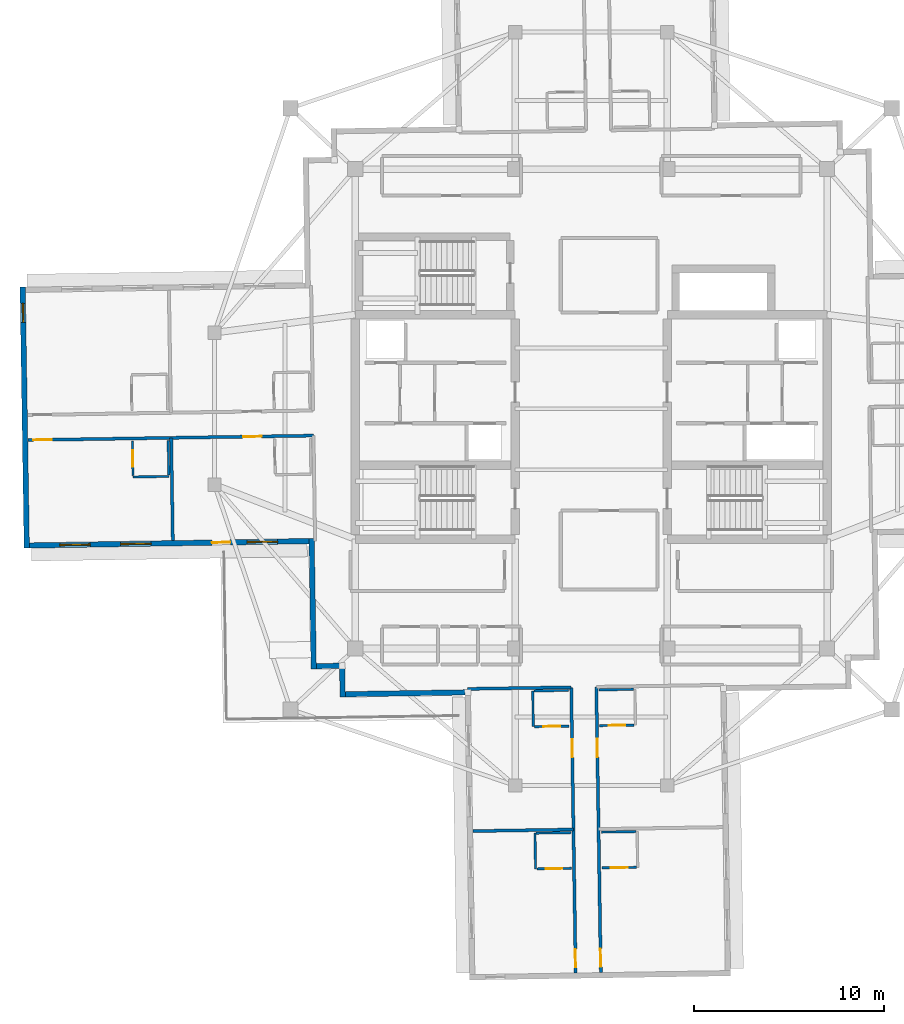
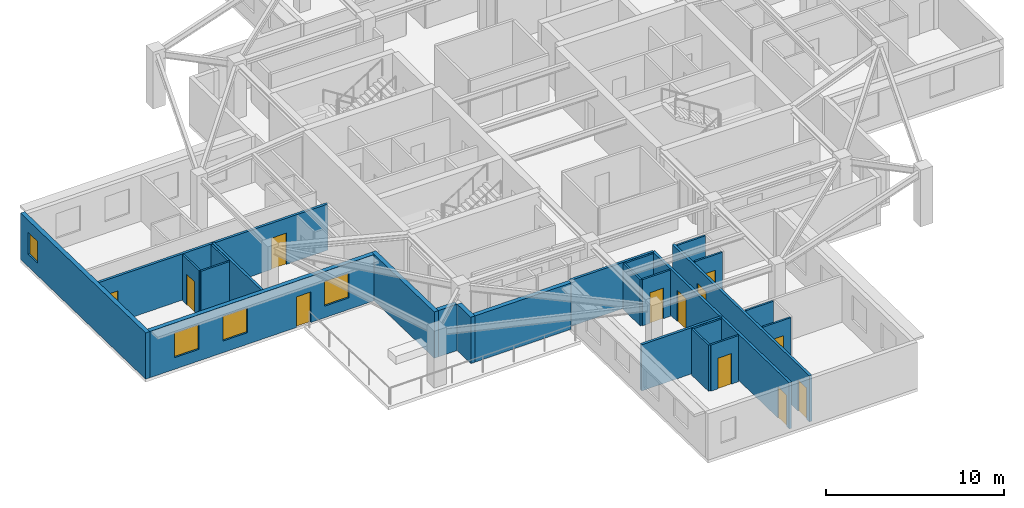
# One storey, part 3 of 12: 25 walls, 12 doors, 4 windows, 16 openings.
"""IFC4 building model written with IfcOpenShell, lengths in metres."""

from ifc_helpers import new_model, si_unit, direction, frame, frame_2d, origin, place, context, subcontext, project, spatial, rectangle, extrude, material, layer, layer_set, type_object, element, fill, save


model = new_model("IFC4")

# Units and contexts
model_context = context("Model", 3, precision=1e-05, world=origin(), true_north=direction((0.0, 1.0)))
body_context = subcontext(model_context, "Body", "Model", "MODEL_VIEW")
ifc_project = project(units=[si_unit("LENGTHUNIT", "METRE"), si_unit("AREAUNIT", "SQUARE_METRE"), si_unit("VOLUMEUNIT", "CUBIC_METRE"), si_unit("PLANEANGLEUNIT", "RADIAN"), si_unit("MASSUNIT", "GRAM", prefix="KILO")], contexts=[model_context])

# Site, building, storey
site_placement = place(None, origin())
site = spatial("IfcSite", under=ifc_project, at=site_placement, CompositionType="ELEMENT")
building_placement = place(site_placement, origin())
building = spatial("IfcBuilding", under=site, at=building_placement, Name="Qingluan Cross Belvedere", CompositionType="ELEMENT")
storey_placement = place(building_placement, frame((0.0, 0.0, 269.39990234375)))
storey = spatial("IfcBuildingStorey", under=building, at=storey_placement, Name="L67", CompositionType="ELEMENT", Elevation=269.39990234375)

# Wall, openings, doors
ifc_material_1 = material(Name="Gypsum plasterboard on steel stud acoustic partition", Category="steel")
ifc_layer_1 = layer(ifc_material_1, 0.159912109375, Name="CorridorPartition_160")
ifc_layer_set_1 = layer_set([ifc_layer_1], Name="Gypsum plasterboard on steel stud acoustic partition")
wall_type_1 = type_object("IfcWallType", Name="CorridorPartition_160", PredefinedType="PARTITIONING", material=ifc_layer_set_1)
wall_1_placement = place(storey_placement, frame((-14.599609375, -1.409423828125, 0.0), z_axis=(0.0, 0.0, 1.0), x_axis=(-0.999876590701, -0.015709976686, 0.0)))
wall_1 = element("IfcWall", 1, at=wall_1_placement, inside=storey, type_object=wall_type_1, Name="Partition L67:W:c1", PredefinedType="PARTITIONING", context=body_context, shape_type="SweptSolid", body=[
    extrude(rectangle(XDim=15.01220703125, YDim=0.159912109375, at=frame_2d((7.506103515625, 0.0))), origin(), (0.0, 0.0, 1.0), 3.170166015625),
])
opening_1_placement = place(wall_1_placement, frame((2.72802734375, 0.0, 0.0)))
opening_1 = element("IfcOpeningElement", 2, at=opening_1_placement, cuts=wall_1, Name="Opening GD-10", PredefinedType="OPENING", context=body_context, shape_type="SweptSolid", body=[
    extrude(rectangle(XDim=0.9599609375, YDim=2.14990234375, at=frame_2d((0.47998046875, 1.074951171875))), frame((0.0, 0.08984375, 0.0), z_axis=(0.0, -1.0, 0.0), x_axis=(1.0, 0.0, 0.0)), (0.0, 0.0, 1.0), 0.179931640625),
])
opening_2_placement = place(wall_1_placement, frame((13.760009765625, 0.0, 0.0)))
opening_2 = element("IfcOpeningElement", 3, at=opening_2_placement, cuts=wall_1, Name="Opening GD-10", PredefinedType="OPENING", context=body_context, shape_type="SweptSolid", body=[
    extrude(rectangle(XDim=0.9599609375, YDim=2.14990234375, at=frame_2d((0.47998046875, 1.074951171875))), frame((0.0, 0.08984375, 0.0), z_axis=(0.0, -1.0, 0.0), x_axis=(1.0, 0.0, 0.0)), (0.0, 0.0, 1.0), 0.179931640625),
])
ifc_material_2 = material(Name="Timber oak fire-rated acoustic guestroom door", Category="wood")
door_type_1 = type_object("IfcDoorType", Name="GuestEntryDoor_FD60", OperationType="NOTDEFINED", PredefinedType="DOOR", material=ifc_material_2)
door_1_placement = place(opening_1_placement, origin())
door_1 = element("IfcDoor", 4, at=door_1_placement, inside=storey, type_object=door_type_1, Name="Guest entry fire door 6707", OperationType="SINGLE_SWING_RIGHT", OverallHeight=2.14990234375, OverallWidth=0.9599609375, PredefinedType="DOOR", context=body_context, shape_type="SweptSolid", body=[
    extrude(rectangle(XDim=0.9599609375, YDim=2.14990234375, at=frame_2d((0.47998046875, 1.074951171875))), frame((0.0, 0.02490234375, 0.0), z_axis=(0.0, -1.0, 0.0), x_axis=(1.0, 0.0, 0.0)), (0.0, 0.0, 1.0), 0.050048828125),
])
fill(opening_1, door_1)
door_2_placement = place(opening_2_placement, origin())
door_2 = element("IfcDoor", 5, at=door_2_placement, inside=storey, type_object=door_type_1, Name="Guest entry fire door 6708", OperationType="SINGLE_SWING_RIGHT", OverallHeight=2.14990234375, OverallWidth=0.9599609375, PredefinedType="DOOR", context=body_context, shape_type="SweptSolid", body=[
    extrude(rectangle(XDim=0.9599609375, YDim=2.14990234375, at=frame_2d((0.47998046875, 1.074951171875))), frame((0.0, 0.02490234375, 0.0), z_axis=(0.0, -1.0, 0.0), x_axis=(1.0, 0.0, 0.0)), (0.0, 0.0, 1.0), 0.050048828125),
])
fill(opening_2, door_2)

# Wall
wall_2_placement = place(storey_placement, frame((-22.07568359375, -1.52685546875, 0.0), z_axis=(0.0, 0.0, 1.0), x_axis=(0.015711505169, -0.999876566685, 0.0)))
element("IfcWall", 6, at=wall_2_placement, inside=storey, type_object=wall_type_1, Name="Partition L67:W:d1_0", PredefinedType="PARTITIONING", context=body_context, shape_type="SweptSolid", body=[
    extrude(rectangle(XDim=5.39208984375, YDim=0.159912109375, at=frame_2d((2.696044921875, 0.0))), origin(), (0.0, 0.0, 1.0), 3.170166015625),
])

# Wall, openings, doors
wall_3_placement = place(storey_placement, frame((0.26953125, -14.61767578125, 0.0), z_axis=(0.0, 0.0, 1.0), x_axis=(0.015726491309, -0.999876331089, 0.0)))
wall_3 = element("IfcWall", 7, at=wall_3_placement, inside=storey, type_object=wall_type_1, Name="Partition L67:S:c0", PredefinedType="PARTITIONING", context=body_context, shape_type="SweptSolid", body=[
    extrude(rectangle(XDim=15.011962890625, YDim=0.159912109375, at=frame_2d((7.505859375, 0.0))), origin(), (0.0, 0.0, 1.0), 3.170166015625),
])
opening_3_placement = place(wall_3_placement, frame((2.72802734375, 0.0, 0.0)))
opening_3 = element("IfcOpeningElement", 8, at=opening_3_placement, cuts=wall_3, Name="Opening GD-10", PredefinedType="OPENING", context=body_context, shape_type="SweptSolid", body=[
    extrude(rectangle(XDim=0.9599609375, YDim=2.14990234375, at=frame_2d((0.47998046875, 1.074951171875))), frame((0.0, 0.08984375, 0.0), z_axis=(0.0, -1.0, 0.0), x_axis=(1.0, 0.0, 0.0)), (0.0, 0.0, 1.0), 0.179931640625),
])
opening_4_placement = place(wall_3_placement, frame((13.760009765625, 0.0, 0.0)))
opening_4 = element("IfcOpeningElement", 9, at=opening_4_placement, cuts=wall_3, Name="Opening GD-10", PredefinedType="OPENING", context=body_context, shape_type="SweptSolid", body=[
    extrude(rectangle(XDim=0.9599609375, YDim=2.14990234375, at=frame_2d((0.47998046875, 1.074951171875))), frame((0.0, 0.08984375, 0.0), z_axis=(0.0, -1.0, 0.0), x_axis=(1.0, 0.0, 0.0)), (0.0, 0.0, 1.0), 0.179931640625),
])
door_3_placement = place(opening_3_placement, origin())
door_3 = element("IfcDoor", 10, at=door_3_placement, inside=storey, type_object=door_type_1, Name="Guest entry fire door 6713", OperationType="SINGLE_SWING_RIGHT", OverallHeight=2.14990234375, OverallWidth=0.9599609375, PredefinedType="DOOR", context=body_context, shape_type="SweptSolid", body=[
    extrude(rectangle(XDim=0.9599609375, YDim=2.14990234375, at=frame_2d((0.47998046875, 1.074951171875))), frame((0.0, 0.02490234375, 0.0), z_axis=(0.0, -1.0, 0.0), x_axis=(1.0, 0.0, 0.0)), (0.0, 0.0, 1.0), 0.050048828125),
])
fill(opening_3, door_3)
door_4_placement = place(opening_4_placement, origin())
door_4 = element("IfcDoor", 11, at=door_4_placement, inside=storey, type_object=door_type_1, Name="Guest entry fire door 6714", OperationType="SINGLE_SWING_RIGHT", OverallHeight=2.14990234375, OverallWidth=0.9599609375, PredefinedType="DOOR", context=body_context, shape_type="SweptSolid", body=[
    extrude(rectangle(XDim=0.9599609375, YDim=2.14990234375, at=frame_2d((0.47998046875, 1.074951171875))), frame((0.0, 0.02490234375, 0.0), z_axis=(0.0, -1.0, 0.0), x_axis=(1.0, 0.0, 0.0)), (0.0, 0.0, 1.0), 0.050048828125),
])
fill(opening_4, door_4)

wall_4_placement = place(storey_placement, frame((-1.05029296875, -14.63818359375, 0.0), z_axis=(0.0, 0.0, 1.0), x_axis=(0.015709976686, -0.999876590701, 0.0)))
wall_4 = element("IfcWall", 12, at=wall_4_placement, inside=storey, type_object=wall_type_1, Name="Partition L67:S:c1", PredefinedType="PARTITIONING", context=body_context, shape_type="SweptSolid", body=[
    extrude(rectangle(XDim=15.01220703125, YDim=0.159912109375, at=frame_2d((7.506103515625, 0.0))), origin(), (0.0, 0.0, 1.0), 3.170166015625),
])
opening_5_placement = place(wall_4_placement, frame((2.72802734375, 0.0, 0.0)))
opening_5 = element("IfcOpeningElement", 13, at=opening_5_placement, cuts=wall_4, Name="Opening GD-10", PredefinedType="OPENING", context=body_context, shape_type="SweptSolid", body=[
    extrude(rectangle(XDim=0.9599609375, YDim=2.14990234375, at=frame_2d((0.47998046875, 1.074951171875))), frame((0.0, 0.08984375, 0.0), z_axis=(0.0, -1.0, 0.0), x_axis=(1.0, 0.0, 0.0)), (0.0, 0.0, 1.0), 0.179931640625),
])
opening_6_placement = place(wall_4_placement, frame((13.760009765625, 0.0, 0.0)))
opening_6 = element("IfcOpeningElement", 14, at=opening_6_placement, cuts=wall_4, Name="Opening GD-10", PredefinedType="OPENING", context=body_context, shape_type="SweptSolid", body=[
    extrude(rectangle(XDim=0.9599609375, YDim=2.14990234375, at=frame_2d((0.47998046875, 1.074951171875))), frame((0.0, 0.08984375, 0.0), z_axis=(0.0, -1.0, 0.0), x_axis=(1.0, 0.0, 0.0)), (0.0, 0.0, 1.0), 0.179931640625),
])
door_5_placement = place(opening_5_placement, origin())
door_5 = element("IfcDoor", 15, at=door_5_placement, inside=storey, type_object=door_type_1, Name="Guest entry fire door 6715", OperationType="SINGLE_SWING_RIGHT", OverallHeight=2.14990234375, OverallWidth=0.9599609375, PredefinedType="DOOR", context=body_context, shape_type="SweptSolid", body=[
    extrude(rectangle(XDim=0.9599609375, YDim=2.14990234375, at=frame_2d((0.47998046875, 1.074951171875))), frame((0.0, 0.02490234375, 0.0), z_axis=(0.0, -1.0, 0.0), x_axis=(1.0, 0.0, 0.0)), (0.0, 0.0, 1.0), 0.050048828125),
])
fill(opening_5, door_5)
door_6_placement = place(opening_6_placement, origin())
door_6 = element("IfcDoor", 16, at=door_6_placement, inside=storey, type_object=door_type_1, Name="Guest entry fire door 6716", OperationType="SINGLE_SWING_RIGHT", OverallHeight=2.14990234375, OverallWidth=0.9599609375, PredefinedType="DOOR", context=body_context, shape_type="SweptSolid", body=[
    extrude(rectangle(XDim=0.9599609375, YDim=2.14990234375, at=frame_2d((0.47998046875, 1.074951171875))), frame((0.0, 0.02490234375, 0.0), z_axis=(0.0, -1.0, 0.0), x_axis=(1.0, 0.0, 0.0)), (0.0, 0.0, 1.0), 0.050048828125),
])
fill(opening_6, door_6)

# Walls
wall_5_placement = place(storey_placement, frame((-1.05029296875, -14.63818359375, 0.0), z_axis=(0.0, 0.0, 1.0), x_axis=(-0.999876622965, -0.015707923068, 0.0)))
element("IfcWall", 17, at=wall_5_placement, inside=storey, type_object=wall_type_1, Name="Partition L67:S:s1", PredefinedType="PARTITIONING", context=body_context, shape_type="SweptSolid", body=[
    extrude(rectangle(XDim=5.43994140625, YDim=0.159912109375, at=frame_2d((2.719970703125, 0.0))), origin(), (0.0, 0.0, 1.0), 3.170166015625),
])
wall_6_placement = place(storey_placement, frame((-0.932861328125, -22.114501953125, 0.0), z_axis=(0.0, 0.0, 1.0), x_axis=(-0.999876970397, -0.015685791996, 0.0)))
element("IfcWall", 18, at=wall_6_placement, inside=storey, type_object=wall_type_1, Name="Partition L67:S:d1_0", PredefinedType="PARTITIONING", context=body_context, shape_type="SweptSolid", body=[
    extrude(rectangle(XDim=5.2919921875, YDim=0.159912109375, at=frame_2d((2.64599609375, 0.0))), origin(), (0.0, 0.0, 1.0), 3.170166015625),
])

# Wall, opening, door
ifc_material_3 = material(Name="Moisture-resistant gypsum board lining")
ifc_layer_2 = layer(ifc_material_3, 0.1201171875, Name="EnsuiteWetPartition_120")
ifc_layer_set_2 = layer_set([ifc_layer_2], Name="Moisture-resistant gypsum board lining")
wall_type_2 = type_object("IfcWallType", Name="EnsuiteWetPartition_120", PredefinedType="PARTITIONING", material=ifc_layer_set_2)
wall_7_placement = place(storey_placement, frame((-24.084716796875, -3.518798828125, 0.0), z_axis=(0.0, 0.0, 1.0), x_axis=(-0.015694337248, 0.999876836305, 0.0)))
wall_7 = element("IfcWall", 19, at=wall_7_placement, inside=storey, type_object=wall_type_2, Name="Partition L67:W:bs1_1", PredefinedType="PARTITIONING", context=body_context, shape_type="SweptSolid", body=[
    extrude(rectangle(XDim=1.820068359375, YDim=0.1201171875, at=frame_2d((0.91015625, 0.0))), origin(), (0.0, 0.0, 1.0), 3.170166015625),
])
opening_7_placement = place(wall_7_placement, frame((0.469970703125, 0.0, 0.0)))
opening_7 = element("IfcOpeningElement", 20, at=opening_7_placement, cuts=wall_7, Name="Opening BD-09", PredefinedType="OPENING", context=body_context, shape_type="SweptSolid", body=[
    extrude(rectangle(XDim=0.8798828125, YDim=2.10009765625, at=frame_2d((0.43994140625, 1.050048828125))), frame((0.0, 0.070068359375, 0.0), z_axis=(0.0, -1.0, 0.0), x_axis=(1.0, 0.0, 0.0)), (0.0, 0.0, 1.0), 0.14013671875),
])
ifc_material_4 = material(Name="Moisture-sealed timber en-suite door", Category="wood")
door_type_2 = type_object("IfcDoorType", Name="BathroomDoor_880", OperationType="NOTDEFINED", PredefinedType="DOOR", material=ifc_material_4)
door_7_placement = place(opening_7_placement, origin())
door_7 = element("IfcDoor", 21, at=door_7_placement, inside=storey, type_object=door_type_2, Name="Bathroom door 6708", OperationType="SINGLE_SWING_LEFT", OverallHeight=2.10009765625, OverallWidth=0.8798828125, PredefinedType="DOOR", context=body_context, shape_type="SweptSolid", body=[
    extrude(rectangle(XDim=0.8798828125, YDim=2.10009765625, at=frame_2d((0.43994140625, 1.050048828125))), frame((0.0, 0.02490234375, 0.0), z_axis=(0.0, -1.0, 0.0), x_axis=(1.0, 0.0, 0.0)), (0.0, 0.0, 1.0), 0.050048828125),
])
fill(opening_7, door_7)

# Walls
wall_8_placement = place(storey_placement, frame((-22.204833984375, -3.4892578125, 0.0), z_axis=(0.0, 0.0, 1.0), x_axis=(-0.015694337248, 0.999876836305, 0.0)))
element("IfcWall", 22, at=wall_8_placement, inside=storey, type_object=wall_type_2, Name="Partition L67:W:bw1_1", PredefinedType="PARTITIONING", context=body_context, shape_type="SweptSolid", body=[
    extrude(rectangle(XDim=1.820068359375, YDim=0.1201171875, at=frame_2d((0.91015625, 0.0))), origin(), (0.0, 0.0, 1.0), 3.170166015625),
])
wall_9_placement = place(storey_placement, frame((-22.203857421875, -3.55419921875, 0.0), z_axis=(0.0, 0.0, 1.0), x_axis=(-0.999876553475, -0.01571234584, 0.0)))
element("IfcWall", 23, at=wall_9_placement, inside=storey, type_object=wall_type_2, Name="Partition L67:W:bc1_1", PredefinedType="PARTITIONING", context=body_context, shape_type="SweptSolid", body=[
    extrude(rectangle(XDim=1.880126953125, YDim=0.1201171875, at=frame_2d((0.93994140625, 0.0))), origin(), (0.0, 0.0, 1.0), 3.170166015625),
])

# Wall, opening, door
wall_10_placement = place(storey_placement, frame((0.441650390625, -16.655029296875, 0.0), z_axis=(0.0, 0.0, 1.0), x_axis=(0.999876836305, 0.015694337248, 0.0)))
wall_10 = element("IfcWall", 24, at=wall_10_placement, inside=storey, type_object=wall_type_2, Name="Partition L67:S:bs0_0", PredefinedType="PARTITIONING", context=body_context, shape_type="SweptSolid", body=[
    extrude(rectangle(XDim=1.820068359375, YDim=0.1201171875, at=frame_2d((0.91015625, 0.0))), origin(), (0.0, 0.0, 1.0), 3.170166015625),
])
opening_8_placement = place(wall_10_placement, frame((0.469970703125, 0.0, 0.0)))
opening_8 = element("IfcOpeningElement", 25, at=opening_8_placement, cuts=wall_10, Name="Opening BD-09", PredefinedType="OPENING", context=body_context, shape_type="SweptSolid", body=[
    extrude(rectangle(XDim=0.8798828125, YDim=2.10009765625, at=frame_2d((0.43994140625, 1.050048828125))), frame((0.0, 0.070068359375, 0.0), z_axis=(0.0, -1.0, 0.0), x_axis=(1.0, 0.0, 0.0)), (0.0, 0.0, 1.0), 0.14013671875),
])
door_8_placement = place(opening_8_placement, origin())
door_8 = element("IfcDoor", 26, at=door_8_placement, inside=storey, type_object=door_type_2, Name="Bathroom door 6713", OperationType="SINGLE_SWING_LEFT", OverallHeight=2.10009765625, OverallWidth=0.8798828125, PredefinedType="DOOR", context=body_context, shape_type="SweptSolid", body=[
    extrude(rectangle(XDim=0.8798828125, YDim=2.10009765625, at=frame_2d((0.43994140625, 1.050048828125))), frame((0.0, 0.02490234375, 0.0), z_axis=(0.0, -1.0, 0.0), x_axis=(1.0, 0.0, 0.0)), (0.0, 0.0, 1.0), 0.050048828125),
])
fill(opening_8, door_8)

# Wall
wall_11_placement = place(storey_placement, frame((0.412109375, -14.775390625, 0.0), z_axis=(0.0, 0.0, 1.0), x_axis=(0.999876836305, 0.015694337248, 0.0)))
element("IfcWall", 27, at=wall_11_placement, inside=storey, type_object=wall_type_2, Name="Partition L67:S:bw0_0", PredefinedType="PARTITIONING", context=body_context, shape_type="SweptSolid", body=[
    extrude(rectangle(XDim=1.820068359375, YDim=0.1201171875, at=frame_2d((0.91015625, 0.0))), origin(), (0.0, 0.0, 1.0), 3.170166015625),
])

# Wall, opening, door
wall_12_placement = place(storey_placement, frame((0.55908203125, -24.131103515625, 0.0), z_axis=(0.0, 0.0, 1.0), x_axis=(0.999876836305, 0.015694337248, 0.0)))
wall_12 = element("IfcWall", 28, at=wall_12_placement, inside=storey, type_object=wall_type_2, Name="Partition L67:S:bs0_1", PredefinedType="PARTITIONING", context=body_context, shape_type="SweptSolid", body=[
    extrude(rectangle(XDim=1.820068359375, YDim=0.1201171875, at=frame_2d((0.91015625, 0.0))), origin(), (0.0, 0.0, 1.0), 3.170166015625),
])
opening_9_placement = place(wall_12_placement, frame((0.469970703125, 0.0, 0.0)))
opening_9 = element("IfcOpeningElement", 29, at=opening_9_placement, cuts=wall_12, Name="Opening BD-09", PredefinedType="OPENING", context=body_context, shape_type="SweptSolid", body=[
    extrude(rectangle(XDim=0.8798828125, YDim=2.10009765625, at=frame_2d((0.43994140625, 1.050048828125))), frame((0.0, 0.070068359375, 0.0), z_axis=(0.0, -1.0, 0.0), x_axis=(1.0, 0.0, 0.0)), (0.0, 0.0, 1.0), 0.14013671875),
])
door_9_placement = place(opening_9_placement, origin())
door_9 = element("IfcDoor", 30, at=door_9_placement, inside=storey, type_object=door_type_2, Name="Bathroom door 6714", OperationType="SINGLE_SWING_LEFT", OverallHeight=2.10009765625, OverallWidth=0.8798828125, PredefinedType="DOOR", context=body_context, shape_type="SweptSolid", body=[
    extrude(rectangle(XDim=0.8798828125, YDim=2.10009765625, at=frame_2d((0.43994140625, 1.050048828125))), frame((0.0, 0.02490234375, 0.0), z_axis=(0.0, -1.0, 0.0), x_axis=(1.0, 0.0, 0.0)), (0.0, 0.0, 1.0), 0.050048828125),
])
fill(opening_9, door_9)

# Wall
wall_13_placement = place(storey_placement, frame((0.529541015625, -22.25146484375, 0.0), z_axis=(0.0, 0.0, 1.0), x_axis=(0.999876836305, 0.015694337248, 0.0)))
element("IfcWall", 31, at=wall_13_placement, inside=storey, type_object=wall_type_2, Name="Partition L67:S:bw0_1", PredefinedType="PARTITIONING", context=body_context, shape_type="SweptSolid", body=[
    extrude(rectangle(XDim=1.820068359375, YDim=0.1201171875, at=frame_2d((0.91015625, 0.0))), origin(), (0.0, 0.0, 1.0), 3.170166015625),
])

# Wall, opening, door
wall_14_placement = place(storey_placement, frame((-2.977783203125, -16.708740234375, 0.0), z_axis=(0.0, 0.0, 1.0), x_axis=(0.999876803258, 0.015696442504, 0.0)))
wall_14 = element("IfcWall", 32, at=wall_14_placement, inside=storey, type_object=wall_type_2, Name="Partition L67:S:bs1_0", PredefinedType="PARTITIONING", context=body_context, shape_type="SweptSolid", body=[
    extrude(rectangle(XDim=1.81982421875, YDim=0.1201171875, at=frame_2d((0.909912109375, 0.0))), origin(), (0.0, 0.0, 1.0), 3.170166015625),
])
opening_10_placement = place(wall_14_placement, frame((0.469970703125, 0.0, 0.0)))
opening_10 = element("IfcOpeningElement", 33, at=opening_10_placement, cuts=wall_14, Name="Opening BD-09", PredefinedType="OPENING", context=body_context, shape_type="SweptSolid", body=[
    extrude(rectangle(XDim=0.8798828125, YDim=2.10009765625, at=frame_2d((0.43994140625, 1.050048828125))), frame((0.0, 0.070068359375, 0.0), z_axis=(0.0, -1.0, 0.0), x_axis=(1.0, 0.0, 0.0)), (0.0, 0.0, 1.0), 0.14013671875),
])
door_10_placement = place(opening_10_placement, origin())
door_10 = element("IfcDoor", 34, at=door_10_placement, inside=storey, type_object=door_type_2, Name="Bathroom door 6715", OperationType="SINGLE_SWING_LEFT", OverallHeight=2.10009765625, OverallWidth=0.8798828125, PredefinedType="DOOR", context=body_context, shape_type="SweptSolid", body=[
    extrude(rectangle(XDim=0.8798828125, YDim=2.10009765625, at=frame_2d((0.43994140625, 1.050048828125))), frame((0.0, 0.02490234375, 0.0), z_axis=(0.0, -1.0, 0.0), x_axis=(1.0, 0.0, 0.0)), (0.0, 0.0, 1.0), 0.050048828125),
])
fill(opening_10, door_10)

# Walls
wall_15_placement = place(storey_placement, frame((-3.00732421875, -14.8291015625, 0.0), z_axis=(0.0, 0.0, 1.0), x_axis=(0.999876803258, 0.015696442504, 0.0)))
element("IfcWall", 35, at=wall_15_placement, inside=storey, type_object=wall_type_2, Name="Partition L67:S:bw1_0", PredefinedType="PARTITIONING", context=body_context, shape_type="SweptSolid", body=[
    extrude(rectangle(XDim=1.81982421875, YDim=0.1201171875, at=frame_2d((0.909912109375, 0.0))), origin(), (0.0, 0.0, 1.0), 3.170166015625),
])
wall_16_placement = place(storey_placement, frame((-3.072509765625, -14.830078125, 0.0), z_axis=(0.0, 0.0, 1.0), x_axis=(0.01571234584, -0.999876553475, 0.0)))
element("IfcWall", 36, at=wall_16_placement, inside=storey, type_object=wall_type_2, Name="Partition L67:S:bc1_0", PredefinedType="PARTITIONING", context=body_context, shape_type="SweptSolid", body=[
    extrude(rectangle(XDim=1.880126953125, YDim=0.1201171875, at=frame_2d((0.93994140625, 0.0))), origin(), (0.0, 0.0, 1.0), 3.170166015625),
])

# Wall, opening, door
wall_17_placement = place(storey_placement, frame((-2.860595703125, -24.184814453125, 0.0), z_axis=(0.0, 0.0, 1.0), x_axis=(0.999876836305, 0.015694337248, 0.0)))
wall_17 = element("IfcWall", 37, at=wall_17_placement, inside=storey, type_object=wall_type_2, Name="Partition L67:S:bs1_1", PredefinedType="PARTITIONING", context=body_context, shape_type="SweptSolid", body=[
    extrude(rectangle(XDim=1.820068359375, YDim=0.1201171875, at=frame_2d((0.91015625, 0.0))), origin(), (0.0, 0.0, 1.0), 3.170166015625),
])
opening_11_placement = place(wall_17_placement, frame((0.469970703125, 0.0, 0.0)))
opening_11 = element("IfcOpeningElement", 38, at=opening_11_placement, cuts=wall_17, Name="Opening BD-09", PredefinedType="OPENING", context=body_context, shape_type="SweptSolid", body=[
    extrude(rectangle(XDim=0.8798828125, YDim=2.10009765625, at=frame_2d((0.43994140625, 1.050048828125))), frame((0.0, 0.070068359375, 0.0), z_axis=(0.0, -1.0, 0.0), x_axis=(1.0, 0.0, 0.0)), (0.0, 0.0, 1.0), 0.14013671875),
])
door_11_placement = place(opening_11_placement, origin())
door_11 = element("IfcDoor", 39, at=door_11_placement, inside=storey, type_object=door_type_2, Name="Bathroom door 6716", OperationType="SINGLE_SWING_LEFT", OverallHeight=2.10009765625, OverallWidth=0.8798828125, PredefinedType="DOOR", context=body_context, shape_type="SweptSolid", body=[
    extrude(rectangle(XDim=0.8798828125, YDim=2.10009765625, at=frame_2d((0.43994140625, 1.050048828125))), frame((0.0, 0.02490234375, 0.0), z_axis=(0.0, -1.0, 0.0), x_axis=(1.0, 0.0, 0.0)), (0.0, 0.0, 1.0), 0.050048828125),
])
fill(opening_11, door_11)

# Walls
wall_18_placement = place(storey_placement, frame((-2.889892578125, -22.30517578125, 0.0), z_axis=(0.0, 0.0, 1.0), x_axis=(0.999876803258, 0.015696442504, 0.0)))
element("IfcWall", 40, at=wall_18_placement, inside=storey, type_object=wall_type_2, Name="Partition L67:S:bw1_1", PredefinedType="PARTITIONING", context=body_context, shape_type="SweptSolid", body=[
    extrude(rectangle(XDim=1.81982421875, YDim=0.1201171875, at=frame_2d((0.909912109375, 0.0))), origin(), (0.0, 0.0, 1.0), 3.170166015625),
])
wall_19_placement = place(storey_placement, frame((-2.955078125, -22.30615234375, 0.0), z_axis=(0.0, 0.0, 1.0), x_axis=(0.015714386166, -0.99987652141, 0.0)))
element("IfcWall", 41, at=wall_19_placement, inside=storey, type_object=wall_type_2, Name="Partition L67:S:bc1_1", PredefinedType="PARTITIONING", context=body_context, shape_type="SweptSolid", body=[
    extrude(rectangle(XDim=1.8798828125, YDim=0.1201171875, at=frame_2d((0.93994140625, 0.0))), origin(), (0.0, 0.0, 1.0), 3.170166015625),
])

# Wall, openings, windows, door
ifc_material_5 = material(Name="Precast concrete C45", Category="concrete")
ifc_layer_3 = layer(ifc_material_5, 0.280029296875, Name="PrecastFacadeWall_280")
ifc_layer_set_3 = layer_set([ifc_layer_3], Name="Precast concrete C45")
wall_type_3 = type_object("IfcWallType", Name="PrecastFacadeWall_280", PredefinedType="STANDARD", material=ifc_layer_set_3)
wall_20_placement = place(storey_placement, frame((-29.53076171875, -7.184814453125, 0.0), z_axis=(0.0, 0.0, 1.0), x_axis=(0.999876569875, 0.015711302158, 0.0)))
wall_20 = element("IfcWall", 42, at=wall_20_placement, inside=storey, type_object=wall_type_3, Name="Facade wall L67-WB", PredefinedType="STANDARD", context=body_context, shape_type="SweptSolid", body=[
    extrude(rectangle(XDim=14.699951171875, YDim=0.280029296875, at=frame_2d((7.35009765625, 0.0))), origin(), (0.0, 0.0, 1.0), 3.18017578125),
])
opening_12_placement = place(wall_20_placement, frame((1.60009765625, 0.0, 0.800048828125)))
opening_12 = element("IfcOpeningElement", 43, at=opening_12_placement, cuts=wall_20, Name="Opening W-04", PredefinedType="OPENING", context=body_context, shape_type="SweptSolid", body=[
    extrude(rectangle(XDim=1.60009765625, YDim=1.699951171875, at=frame_2d((0.800048828125, 0.85009765625))), frame((0.0, 0.14990234375, 0.0), z_axis=(0.0, -1.0, 0.0), x_axis=(1.0, 0.0, 0.0)), (0.0, 0.0, 1.0), 0.300048828125),
])
opening_13_placement = place(wall_20_placement, frame((4.800048828125, 0.0, 0.800048828125)))
opening_13 = element("IfcOpeningElement", 44, at=opening_13_placement, cuts=wall_20, Name="Opening W-04", PredefinedType="OPENING", context=body_context, shape_type="SweptSolid", body=[
    extrude(rectangle(XDim=1.60009765625, YDim=1.699951171875, at=frame_2d((0.800048828125, 0.85009765625))), frame((0.0, 0.14990234375, 0.0), z_axis=(0.0, -1.0, 0.0), x_axis=(1.0, 0.0, 0.0)), (0.0, 0.0, 1.0), 0.300048828125),
])
opening_14_placement = place(wall_20_placement, frame((11.449951171875, 0.0, 0.800048828125)))
opening_14 = element("IfcOpeningElement", 45, at=opening_14_placement, cuts=wall_20, Name="Opening W-04", PredefinedType="OPENING", context=body_context, shape_type="SweptSolid", body=[
    extrude(rectangle(XDim=1.60009765625, YDim=1.699951171875, at=frame_2d((0.800048828125, 0.85009765625))), frame((0.0, 0.14990234375, 0.0), z_axis=(0.0, -1.0, 0.0), x_axis=(1.0, 0.0, 0.0)), (0.0, 0.0, 1.0), 0.300048828125),
])
opening_15_placement = place(wall_20_placement, frame((9.60009765625, 0.0, 0.0)))
opening_15 = element("IfcOpeningElement", 46, at=opening_15_placement, cuts=wall_20, Name="Opening WD-10", PredefinedType="OPENING", context=body_context, shape_type="SweptSolid", body=[
    extrude(rectangle(XDim=0.9599609375, YDim=2.10009765625, at=frame_2d((0.47998046875, 1.050048828125))), frame((0.0, 0.14990234375, 0.0), z_axis=(0.0, -1.0, 0.0), x_axis=(1.0, 0.0, 0.0)), (0.0, 0.0, 1.0), 0.300048828125),
])
ifc_material_6 = material(Name="Thermally broken triple Low-E glass in aluminium frame", Category="aluminium")
window_type_1 = type_object("IfcWindowType", Name="SuiteCornerWin_1600x1700", PartitioningType="SINGLE_PANEL", PredefinedType="WINDOW", material=ifc_material_6)
window_1_placement = place(opening_12_placement, origin())
window_1 = element("IfcWindow", 47, at=window_1_placement, inside=storey, type_object=window_type_1, Name="Ribbon window L67-WB-1", OverallHeight=1.699951171875, OverallWidth=1.60009765625, PartitioningType="SINGLE_PANEL", PredefinedType="WINDOW", context=body_context, shape_type="SweptSolid", body=[
    extrude(rectangle(XDim=1.60009765625, YDim=1.699951171875, at=frame_2d((0.800048828125, 0.85009765625))), frame((0.0, 0.030029296875, 0.0), z_axis=(0.0, -1.0, 0.0), x_axis=(1.0, 0.0, 0.0)), (0.0, 0.0, 1.0), 0.06005859375),
])
fill(opening_12, window_1)
window_2_placement = place(opening_13_placement, origin())
window_2 = element("IfcWindow", 48, at=window_2_placement, inside=storey, type_object=window_type_1, Name="Ribbon window L67-WB-2", OverallHeight=1.699951171875, OverallWidth=1.60009765625, PartitioningType="SINGLE_PANEL", PredefinedType="WINDOW", context=body_context, shape_type="SweptSolid", body=[
    extrude(rectangle(XDim=1.60009765625, YDim=1.699951171875, at=frame_2d((0.800048828125, 0.85009765625))), frame((0.0, 0.030029296875, 0.0), z_axis=(0.0, -1.0, 0.0), x_axis=(1.0, 0.0, 0.0)), (0.0, 0.0, 1.0), 0.06005859375),
])
fill(opening_13, window_2)
window_3_placement = place(opening_14_placement, origin())
window_3 = element("IfcWindow", 49, at=window_3_placement, inside=storey, type_object=window_type_1, Name="Ribbon window L67-WB-4", OverallHeight=1.699951171875, OverallWidth=1.60009765625, PartitioningType="SINGLE_PANEL", PredefinedType="WINDOW", context=body_context, shape_type="SweptSolid", body=[
    extrude(rectangle(XDim=1.60009765625, YDim=1.699951171875, at=frame_2d((0.800048828125, 0.85009765625))), frame((0.0, 0.030029296875, 0.0), z_axis=(0.0, -1.0, 0.0), x_axis=(1.0, 0.0, 0.0)), (0.0, 0.0, 1.0), 0.06005859375),
])
fill(opening_14, window_3)
ifc_material_7 = material(Name="Thermally broken aluminium and Low-E glass", Category="aluminium")
door_type_3 = type_object("IfcDoorType", Name="WinterGardenDoor_096", OperationType="NOTDEFINED", PredefinedType="DOOR", material=ifc_material_7)
door_12_placement = place(opening_15_placement, origin())
door_12 = element("IfcDoor", 50, at=door_12_placement, inside=storey, type_object=door_type_3, Name="Outdoor terrace access door L67-spi", OperationType="SINGLE_SWING_RIGHT", OverallHeight=2.10009765625, OverallWidth=0.9599609375, PredefinedType="DOOR", context=body_context, shape_type="SweptSolid", body=[
    extrude(rectangle(XDim=0.9599609375, YDim=2.10009765625, at=frame_2d((0.47998046875, 1.050048828125))), frame((0.0, 0.02490234375, 0.0), z_axis=(0.0, -1.0, 0.0), x_axis=(1.0, 0.0, 0.0)), (0.0, 0.0, 1.0), 0.050048828125),
])
fill(opening_15, door_12)

# Wall, opening, window
wall_21_placement = place(storey_placement, frame((-29.884033203125, 6.391357421875, 0.0), z_axis=(0.0, 0.0, 1.0), x_axis=(0.015694809807, -0.999876828887, 0.0)))
wall_21 = element("IfcWall", 51, at=wall_21_placement, inside=storey, type_object=wall_type_3, Name="Arm tip precast facade wall L67-W", PredefinedType="STANDARD", context=body_context, shape_type="SweptSolid", body=[
    extrude(rectangle(XDim=13.719970703125, YDim=0.280029296875, at=frame_2d((6.85986328125, 0.0))), origin(), (0.0, 0.0, 1.0), 3.18017578125),
])
opening_16_placement = place(wall_21_placement, frame((0.85009765625, 0.0, 0.85009765625)))
opening_16 = element("IfcOpeningElement", 52, at=opening_16_placement, cuts=wall_21, Name="Opening W-03", PredefinedType="OPENING", context=body_context, shape_type="SweptSolid", body=[
    extrude(rectangle(XDim=1.0, YDim=1.5, at=frame_2d((0.5, 0.75))), frame((0.0, 0.14990234375, 0.0), z_axis=(0.0, -1.0, 0.0), x_axis=(1.0, 0.0, 0.0)), (0.0, 0.0, 1.0), 0.300048828125),
])
ifc_material_8 = material(Name="Thermally broken triple Low-E glass in aluminium frame", Category="aluminium")
window_type_2 = type_object("IfcWindowType", Name="TriApexWin_1000x1500", PartitioningType="SINGLE_PANEL", PredefinedType="WINDOW", material=ifc_material_8)
window_4_placement = place(opening_16_placement, origin())
window_4 = element("IfcWindow", 53, at=window_4_placement, inside=storey, type_object=window_type_2, Name="Arm tip triangular window L67-W", OverallHeight=1.5, OverallWidth=1.0, PartitioningType="SINGLE_PANEL", PredefinedType="WINDOW", context=body_context, shape_type="SweptSolid", body=[
    extrude(rectangle(XDim=1.0, YDim=1.5, at=frame_2d((0.5, 0.75))), frame((0.0, 0.030029296875, 0.0), z_axis=(0.0, -1.0, 0.0), x_axis=(1.0, 0.0, 0.0)), (0.0, 0.0, 1.0), 0.06005859375),
])
fill(opening_16, window_4)

# Walls
wall_22_placement = place(storey_placement, frame((-14.69482421875, -6.811767578125, 0.0), z_axis=(0.0, 0.0, 1.0), x_axis=(0.015694809807, -0.999876828887, 0.0)))
element("IfcWall", 54, at=wall_22_placement, inside=storey, type_object=wall_type_3, Name="Corner wall L67-SW1", PredefinedType="STANDARD", context=body_context, shape_type="SweptSolid", body=[
    extrude(rectangle(XDim=6.85986328125, YDim=0.280029296875, at=frame_2d((3.429931640625, 0.0))), origin(), (0.0, 0.0, 1.0), 3.18017578125),
])
wall_23_placement = place(storey_placement, frame((-14.44921875, -13.528564453125, 0.0), z_axis=(0.0, 0.0, 1.0), x_axis=(0.999878147354, 0.015610587569, 0.0)))
element("IfcWall", 55, at=wall_23_placement, inside=storey, type_object=wall_type_3, Name="Corner wall L67-SW2", PredefinedType="STANDARD", context=body_context, shape_type="SweptSolid", body=[
    extrude(rectangle(XDim=1.219970703125, YDim=0.280029296875, at=frame_2d((0.60986328125, 0.0))), origin(), (0.0, 0.0, 1.0), 3.18017578125),
])
wall_24_placement = place(storey_placement, frame((-13.08740234375, -13.647216796875, 0.0), z_axis=(0.0, 0.0, 1.0), x_axis=(0.015785793208, -0.999875396603, 0.0)))
element("IfcWall", 56, at=wall_24_placement, inside=storey, type_object=wall_type_3, Name="Corner wall L67-SW3", PredefinedType="STANDARD", context=body_context, shape_type="SweptSolid", body=[
    extrude(rectangle(XDim=1.500244140625, YDim=0.280029296875, at=frame_2d((0.75, 0.0))), origin(), (0.0, 0.0, 1.0), 3.18017578125),
])
wall_25_placement = place(storey_placement, frame((-12.92578125, -15.0048828125, 0.0), z_axis=(0.0, 0.0, 1.0), x_axis=(0.999876823822, 0.015695132501, 0.0)))
element("IfcWall", 57, at=wall_25_placement, inside=storey, type_object=wall_type_3, Name="Corner wall L67-SW4", PredefinedType="STANDARD", context=body_context, shape_type="SweptSolid", body=[
    extrude(rectangle(XDim=6.2998046875, YDim=0.280029296875, at=frame_2d((3.14990234375, 0.0))), origin(), (0.0, 0.0, 1.0), 3.18017578125),
])

save(model, "model.ifc")
